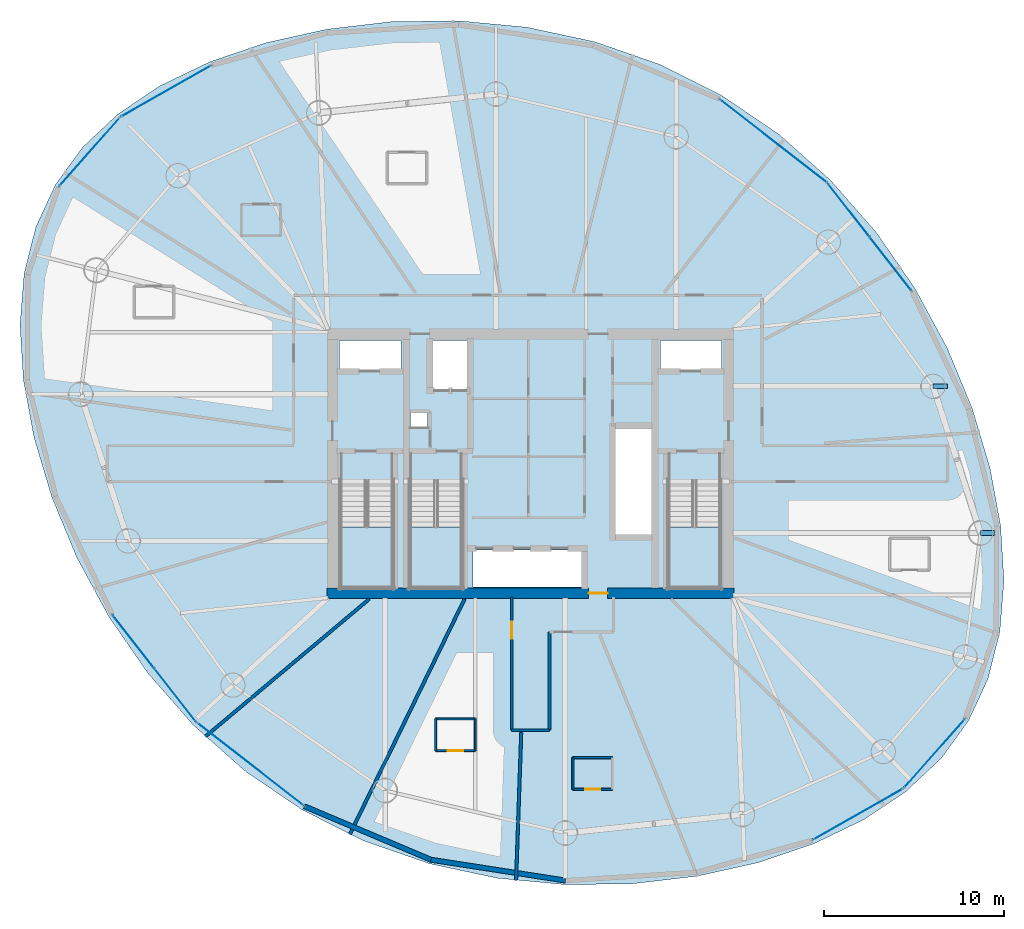
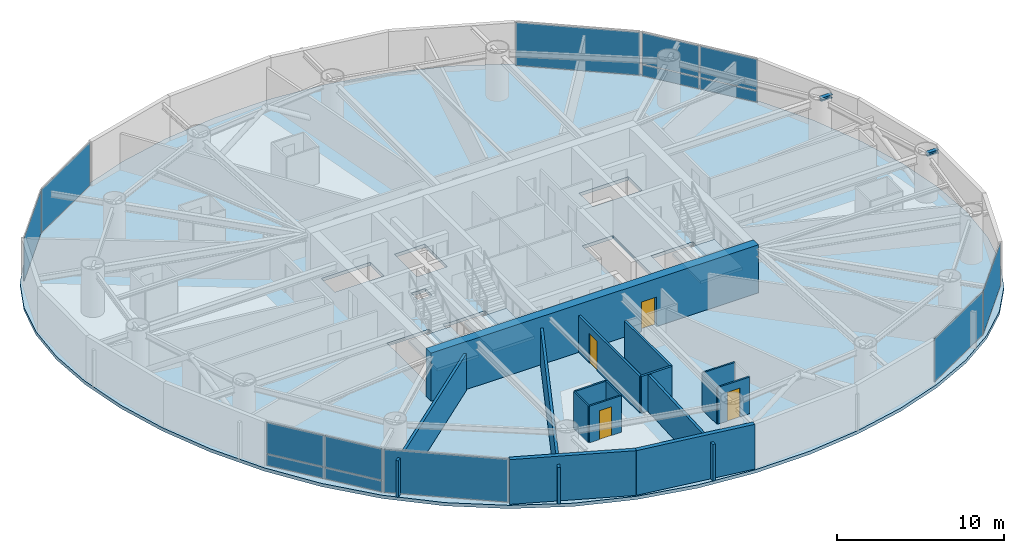
# One storey, part 13 of 20: 16 walls, 14 plates, 4 doors, 4 slabs, 2 beams, 4 openings, 11 elements without a shape of their own.
"""IFC4 building model written with IfcOpenShell, lengths in metres."""

import ifcopenshell
import ifcopenshell.guid

model = None  # the IFC model being written
_history = None  # IfcOwnerHistory: only IFC2X3 demands one
_inside = {}  # id of a spatial element -> (the spatial element, [elements in it])
_under = {}  # id of a project, library or spatial element -> (it, [spatial elements below it])
_declared = {}  # id of a project -> (the project, [libraries it declares])
_typed = {}  # id of a type object -> (the type object, [elements of that type])
_made_of = {}  # id of a material, layer set ... -> (it, [elements and type objects made of it])


def new_model(schema):
    """Start an empty IFC model of exactly this schema.

    Asked for "IFC4X3", IfcOpenShell would pick the latest addendum, in which some entities
    have other attributes; the version numbers below select the first issue.
    IFC2X3 requires an IfcOwnerHistory on every rooted entity: one is made here for all.
    """
    global model, _history
    if schema == "IFC4X3":
        model = ifcopenshell.file(schema_version=(4, 3, 0, 0))
    else:
        model = ifcopenshell.file(schema=schema)
    _inside.clear()
    _under.clear()
    _declared.clear()
    _typed.clear()
    _made_of.clear()
    _history = None
    if model.schema == "IFC2X3":
        org = make("IfcOrganization", Name="unknown")
        user = make(
            "IfcPersonAndOrganization",
            ThePerson=make("IfcPerson", FamilyName="unknown"),
            TheOrganization=org,
        )
        app = make(
            "IfcApplication",
            ApplicationDeveloper=org,
            Version="unknown",
            ApplicationFullName="unknown",
            ApplicationIdentifier="unknown",
        )
        _history = make(
            "IfcOwnerHistory",
            OwningUser=user,
            OwningApplication=app,
            ChangeAction="ADDED",
            CreationDate=0,
        )
    return model


def make(cls, **values):
    """One entity of the class cls with the attributes given. An attribute that is None is left unset."""
    return model.create_entity(
        cls, **{name: value for name, value in values.items() if value is not None}
    )


def rooted(cls, **values):
    """An entity with a GlobalId (a new one), such as an element, a storey or a relation."""
    return make(cls, GlobalId=ifcopenshell.guid.new(), OwnerHistory=_history, **values)


def si_unit(unit_type, name, prefix=None):
    """IfcSIUnit, for example si_unit("LENGTHUNIT", "METRE", prefix="MILLI")."""
    return make("IfcSIUnit", UnitType=unit_type, Prefix=prefix, Name=name)


def assignment(units):
    """IfcUnitAssignment: the units of a project."""
    return None if units is None else make("IfcUnitAssignment", Units=units)


def point(xyz):
    """IfcCartesianPoint."""
    return None if xyz is None else make("IfcCartesianPoint", Coordinates=xyz)


def direction(xyz):
    """IfcDirection."""
    return None if xyz is None else make("IfcDirection", DirectionRatios=xyz)


def frame(location, z_axis=None, x_axis=None):
    """IfcAxis2Placement3D, a coordinate frame: its origin and axes. An axis left out is left unset."""
    return make(
        "IfcAxis2Placement3D",
        Location=point(location),
        Axis=direction(z_axis),
        RefDirection=direction(x_axis),
    )


def frame_2d(location, x_axis=None):
    """IfcAxis2Placement2D, a coordinate frame in the plane: its origin and x axis."""
    return make(
        "IfcAxis2Placement2D", Location=point(location), RefDirection=direction(x_axis)
    )


def origin():
    """The frame at (0, 0, 0) with its axes left unset."""
    return frame((0.0, 0.0, 0.0))


def origin_2d():
    """The frame at (0, 0) in the plane with its x axis left unset."""
    return frame_2d((0.0, 0.0))


def place(relative_to, where):
    """IfcLocalPlacement: puts the frame where relative to a parent placement (None: the world)."""
    return make(
        "IfcLocalPlacement", PlacementRelTo=relative_to, RelativePlacement=where
    )


def context(
    kind, dimensions, precision=None, world=None, true_north=None, identifier=None
):
    """IfcGeometricRepresentationContext, for example the 3D "Model" context."""
    return make(
        "IfcGeometricRepresentationContext",
        ContextIdentifier=identifier,
        ContextType=kind,
        CoordinateSpaceDimension=dimensions,
        Precision=precision,
        WorldCoordinateSystem=world,
        TrueNorth=true_north,
    )


def subcontext(parent, identifier, kind, view, scale=None):
    """IfcGeometricRepresentationSubContext, for example "Body" below "Model"."""
    return make(
        "IfcGeometricRepresentationSubContext",
        ContextIdentifier=identifier,
        ContextType=kind,
        ParentContext=parent,
        TargetScale=scale,
        TargetView=view,
    )


def project(units=None, contexts=None):
    """IfcProject with its units and contexts."""
    return rooted(
        "IfcProject",
        Name="project",
        RepresentationContexts=contexts,
        UnitsInContext=assignment(units),
    )


def spatial(cls, under=None, at=None, **own):
    """A site, building, storey or space (cls), placed at a placement, below another one or the project."""
    s = rooted(cls, ObjectPlacement=at, **own)
    if under is not None:
        _under.setdefault(under.id(), (under, []))[1].append(s)
    return s


def polyline(points):
    """IfcPolyline through the points."""
    return make("IfcPolyline", Points=[point(p) for p in points])


def profile(cls, at=None, kind="AREA", **sizes):
    """A parametric profile (cls). Its sizes go by their IFC names, for example OverallWidth=200.0."""
    return make(cls, ProfileType=kind, Position=at, **sizes)


def rectangle(**sizes):
    """IfcRectangleProfileDef."""
    return profile("IfcRectangleProfileDef", **sizes)


def i_section(**sizes):
    """IfcIShapeProfileDef."""
    return profile("IfcIShapeProfileDef", **sizes)


def outline(outer, holes=None, kind="AREA"):
    """IfcArbitraryClosedProfileDef: a profile drawn as a closed curve; with holes, ...WithVoids."""
    if holes is None:
        return make("IfcArbitraryClosedProfileDef", ProfileType=kind, OuterCurve=outer)
    return make(
        "IfcArbitraryProfileDefWithVoids",
        ProfileType=kind,
        OuterCurve=outer,
        InnerCurves=holes,
    )


def extrude(swept, where, along, depth):
    """IfcExtrudedAreaSolid: the profile swept, set in the frame where, extruded along a direction by depth."""
    return make(
        "IfcExtrudedAreaSolid",
        SweptArea=swept,
        Position=where,
        ExtrudedDirection=direction(along),
        Depth=depth,
    )


def shape(context_of_items, identifier, shape_type, items):
    """IfcShapeRepresentation: the items that make up one representation, for example the "Body"."""
    return make(
        "IfcShapeRepresentation",
        ContextOfItems=context_of_items,
        RepresentationIdentifier=identifier,
        RepresentationType=shape_type,
        Items=items,
    )


def material(Name=None, Category=None):
    """IfcMaterial."""
    return make("IfcMaterial", Name=Name, Category=Category)


def layer(
    of_material, thickness, ventilated=None, Name=None, Category=None, Priority=None
):
    """IfcMaterialLayer: one layer of a wall or slab, of a material (None: an air gap)."""
    return make(
        "IfcMaterialLayer",
        Material=of_material,
        LayerThickness=thickness,
        IsVentilated=ventilated,
        Name=Name,
        Category=Category,
        Priority=Priority,
    )


def layer_set(layers, Name=None):
    """IfcMaterialLayerSet."""
    return make("IfcMaterialLayerSet", MaterialLayers=layers, LayerSetName=Name)


def material_profile(
    of_material, cross_section, Name=None, Category=None, Priority=None
):
    """IfcMaterialProfile: a cross section and its material."""
    return make(
        "IfcMaterialProfile",
        Name=Name,
        Material=of_material,
        Profile=cross_section,
        Priority=Priority,
        Category=Category,
    )


def profile_set(profiles, Name=None, composite=None):
    """IfcMaterialProfileSet."""
    return make(
        "IfcMaterialProfileSet",
        Name=Name,
        MaterialProfiles=profiles,
        CompositeProfile=composite,
    )


def made_of(thing, what):
    """Note that an element or type object is made of a material, layer set ...; save() writes the relation."""
    if what is not None:
        _made_of.setdefault(what.id(), (what, []))[1].append(thing)
    return thing


def type_object(cls, material=None, **own):
    """A type object (cls), such as IfcWallType, which elements share."""
    return made_of(rooted(cls, **own), material)


def element(
    cls,
    number,
    at=None,
    inside=None,
    cuts=None,
    type_object=None,
    material=None,
    context=None,
    identifier="Body",
    shape_type=None,
    held_by="IfcProductDefinitionShape",
    body=None,
    shapes=None,
    **own,
):
    """One element of the class cls, such as IfcWall. Its Tag is "e" and its number.

    at: its placement. inside: the storey or other place that contains it. cuts: it is an
    opening in that element (IfcRelVoidsElement). A single representation is given by context,
    identifier, shape_type and body (its items); several are given by shapes. held_by: the class
    of the entity that holds the representations. save() writes the other relations.
    """
    e = rooted(cls, Tag="e%d" % number, ObjectPlacement=at, **own)
    if body is not None:
        shapes = [shape(context, identifier, shape_type, body)]
    if shapes is not None:
        e.Representation = make(held_by, Representations=shapes)
    if inside is not None:
        _inside.setdefault(inside.id(), (inside, []))[1].append(e)
    if cuts is not None:
        rooted(
            "IfcRelVoidsElement", RelatingBuildingElement=cuts, RelatedOpeningElement=e
        )
    if type_object is not None:
        _typed.setdefault(type_object.id(), (type_object, []))[1].append(e)
    return made_of(e, material)


def fill(opening, filler):
    """IfcRelFillsElement: the door or window that sits in an opening."""
    return rooted(
        "IfcRelFillsElement",
        RelatingOpeningElement=opening,
        RelatedBuildingElement=filler,
    )


def aggregate(whole, parts):
    """IfcRelAggregates: a whole, such as a stair, and the parts it consists of."""
    return rooted("IfcRelAggregates", RelatingObject=whole, RelatedObjects=parts)


def save(model, path):
    """Write the relations noted so far, then the file.

    IfcRelAggregates (storeys below a building ...), IfcRelContainedInSpatialStructure (elements
    in a storey), IfcRelDefinesByType, IfcRelAssociatesMaterial and IfcRelDeclares: one each for
    every whole, place, type object, material and project.
    """
    for whole, parts in _under.values():
        aggregate(whole, parts)
    for where, things in _inside.values():
        rooted(
            "IfcRelContainedInSpatialStructure",
            RelatedElements=things,
            RelatingStructure=where,
        )
    for kind, things in _typed.values():
        rooted("IfcRelDefinesByType", RelatedObjects=things, RelatingType=kind)
    for what, things in _made_of.values():
        rooted("IfcRelAssociatesMaterial", RelatedObjects=things, RelatingMaterial=what)
    for by, libraries in _declared.values():
        rooted("IfcRelDeclares", RelatingContext=by, RelatedDefinitions=libraries)
    model.write(path)


model = new_model("IFC4")

# Units and contexts
model_context = context("Model", 3, precision=1e-05, world=origin(), true_north=direction((0.0, 1.0)))
body_context = subcontext(model_context, "Body", "Model", "MODEL_VIEW")
ifc_project = project(units=[si_unit("LENGTHUNIT", "METRE"), si_unit("AREAUNIT", "SQUARE_METRE"), si_unit("VOLUMEUNIT", "CUBIC_METRE"), si_unit("PLANEANGLEUNIT", "RADIAN"), si_unit("MASSUNIT", "GRAM", prefix="KILO")], contexts=[model_context])

# Site, building, storey
site_placement = place(None, origin())
site = spatial("IfcSite", under=ifc_project, at=site_placement, CompositionType="ELEMENT")
building_placement = place(site_placement, origin())
building = spatial("IfcBuilding", under=site, at=building_placement, Name="Bramvorn Convention Spire", CompositionType="ELEMENT")
storey_placement = place(building_placement, frame((0.0, 0.0, 151.800048828125)))
storey = spatial("IfcBuildingStorey", under=building, at=storey_placement, Name="L38", CompositionType="ELEMENT", Elevation=151.800048828125)

# Beams
ifc_material_1 = material(Name="Steel CSA G40.21 Grade 350 (350W)", Category="steel")
ifc_material_profile = material_profile(ifc_material_1, i_section(OverallWidth=0.25390625, OverallDepth=0.2529296875, WebThickness=0.008544921875, FlangeThickness=0.01416015625, FilletRadius=0.011962890625, at=origin_2d()))
ifc_profile_set = profile_set([ifc_material_profile], Name="Steel CSA G40.21 Grade 350 (350W) - W250X73")
beam_type = type_object("IfcBeamType", Name="BM-W250X73", PredefinedType="BEAM", material=ifc_profile_set)
for number, where, z_axis, x_axis, name in (
    (1, (62.983642578125, 22.148193359375, 3.1083984375), (1.0, 0.0, 0.0), (0.0, 1.0, 0.0), "L38 slab-edge cantilever tip beam MC02"),
    (2, (60.345703125, 30.293212890625, 3.1083984375), (1.0, 0.0, 0.0), (0.0, 1.0, 0.0), "L38 slab-edge cantilever tip beam MC03"),
):
    element("IfcBeam", number, at=place(storey_placement, frame(where, z_axis=z_axis, x_axis=x_axis)), inside=storey, type_object=beam_type, Name=name, PredefinedType="BEAM", context=body_context, shape_type="SweptSolid", body=[
        extrude(i_section(OverallWidth=0.25390625, OverallDepth=0.2529296875, WebThickness=0.008544921875, FlangeThickness=0.01416015625, FilletRadius=0.011962890625, at=origin_2d()), origin(), (0.0, 0.0, 1.0), 0.800048828125),
    ])

# Curtain wall, plates
ifc_material_2 = material(Name="Anodised Bronze Unitised Curtain Wall", Category="aluminium")
ifc_layer_1 = layer(ifc_material_2, 0.179931640625)
ifc_layer_set_1 = layer_set([ifc_layer_1], Name="Anodised Bronze Unitised Curtain Wall - CW-HTL-FRIT")
curtain_wall_type = type_object("IfcCurtainWallType", Name="CW-HTL-FRIT", PredefinedType="USERDEFINED", material=ifc_layer_set_1)
curtain_wall_1_placement = place(storey_placement, origin())
curtain_wall_1 = element("IfcCurtainWall", 3, at=curtain_wall_1_placement, inside=storey, type_object=curtain_wall_type, Name="L38 fritted glass curtain wall 05", ObjectType="UNITISED CURTAIN WALL", PredefinedType="USERDEFINED")
ifc_material_3 = material(Name="Laminated Low-E Glass (Triple IGU Tapered Ceramic Frit 40%)", Category="glass")
ifc_layer_2 = layer(ifc_material_3, 0.0380859375)
ifc_layer_set_2 = layer_set([ifc_layer_2], Name="Laminated Low-E Glass (Triple IGU Tapered Ceramic Frit 40%) - PNL-IGU-2")
plate_type = type_object("IfcPlateType", Name="PNL-IGU-2", PredefinedType="CURTAIN_PANEL", material=ifc_layer_set_2)
plate_1_placement = place(storey_placement, frame((55.6708984375, 40.0615234375, 0.059814453125), z_axis=(0.0, 0.0, 1.0), x_axis=(0.615656860835, -0.78801435882, 0.0)))
plate_1 = element("IfcPlate", 4, at=plate_1_placement, type_object=plate_type, Name="CW2 panel 1.1", PredefinedType="CURTAIN_PANEL", context=body_context, shape_type="SweptSolid", body=[
    extrude(rectangle(XDim=3.694580078125, YDim=0.028076171875, at=origin_2d()), origin(), (0.0, 0.0, 1.0), 0.81005859375),
])
plate_2_placement = place(storey_placement, frame((55.6708984375, 40.0615234375, 0.929931640625), z_axis=(0.0, 0.0, 1.0), x_axis=(0.615656860835, -0.78801435882, 0.0)))
plate_2 = element("IfcPlate", 5, at=plate_2_placement, type_object=plate_type, Name="CW2 panel 1.2", PredefinedType="CURTAIN_PANEL", context=body_context, shape_type="SweptSolid", body=[
    extrude(rectangle(XDim=3.694580078125, YDim=0.028076171875, at=origin_2d()), origin(), (0.0, 0.0, 1.0), 2.27001953125),
])
plate_3_placement = place(storey_placement, frame((57.982421875, 37.102783203125, 0.059814453125), z_axis=(0.0, 0.0, 1.0), x_axis=(0.615656860835, -0.78801435882, 0.0)))
plate_3 = element("IfcPlate", 6, at=plate_3_placement, type_object=plate_type, Name="CW2 panel 2.1", PredefinedType="CURTAIN_PANEL", context=body_context, shape_type="SweptSolid", body=[
    extrude(rectangle(XDim=3.694580078125, YDim=0.028076171875, at=origin_2d()), origin(), (0.0, 0.0, 1.0), 0.81005859375),
])
plate_4_placement = place(storey_placement, frame((57.982421875, 37.102783203125, 0.929931640625), z_axis=(0.0, 0.0, 1.0), x_axis=(0.615656860835, -0.78801435882, 0.0)))
plate_4 = element("IfcPlate", 7, at=plate_4_placement, type_object=plate_type, Name="CW2 panel 2.2", PredefinedType="CURTAIN_PANEL", context=body_context, shape_type="SweptSolid", body=[
    extrude(rectangle(XDim=3.694580078125, YDim=0.028076171875, at=origin_2d()), origin(), (0.0, 0.0, 1.0), 2.27001953125),
])
aggregate(curtain_wall_1, [plate_1, plate_2, plate_3, plate_4])

# Curtain wall, plate
curtain_wall_2_placement = place(storey_placement, origin())
curtain_wall_2 = element("IfcCurtainWall", 8, at=curtain_wall_2_placement, inside=storey, type_object=curtain_wall_type, Name="L38 fritted glass curtain wall 06", ObjectType="UNITISED CURTAIN WALL", PredefinedType="USERDEFINED")
plate_5_placement = place(storey_placement, frame((51.4912109375, 43.904052734375, 0.06005859375), z_axis=(0.0, 0.0, 1.0), x_axis=(0.789105454062, -0.614257749133, 0.0)))
plate_5 = element("IfcPlate", 9, at=plate_5_placement, type_object=plate_type, Name="CW2 panel 1.1", PredefinedType="CURTAIN_PANEL", context=body_context, shape_type="SweptSolid", body=[
    extrude(rectangle(XDim=7.49755859375, YDim=0.028076171875, at=origin_2d()), origin(), (0.0, 0.0, 1.0), 3.139892578125),
])
aggregate(curtain_wall_2, [plate_5])

curtain_wall_3_placement = place(storey_placement, origin())
curtain_wall_3 = element("IfcCurtainWall", 10, at=curtain_wall_3_placement, inside=storey, type_object=curtain_wall_type, Name="L38 fritted glass curtain wall 11", ObjectType="UNITISED CURTAIN WALL", PredefinedType="USERDEFINED")
plate_6_placement = place(storey_placement, frame((17.756591796875, 46.68603515625, 0.06005859375), z_axis=(0.0, 0.0, 1.0), x_axis=(0.869857620477, 0.493302868528, 0.0)))
plate_6 = element("IfcPlate", 11, at=plate_6_placement, type_object=plate_type, Name="CW2 panel 1.1", PredefinedType="CURTAIN_PANEL", context=body_context, shape_type="SweptSolid", body=[
    extrude(rectangle(XDim=5.702880859375, YDim=0.028076171875, at=origin_2d()), origin(), (0.0, 0.0, 1.0), 3.139892578125),
])
aggregate(curtain_wall_3, [plate_6])

curtain_wall_4_placement = place(storey_placement, origin())
curtain_wall_4 = element("IfcCurtainWall", 12, at=curtain_wall_4_placement, inside=storey, type_object=curtain_wall_type, Name="L38 fritted glass curtain wall 12", ObjectType="UNITISED CURTAIN WALL", PredefinedType="USERDEFINED")
plate_7_placement = place(storey_placement, frame((13.510498046875, 43.3115234375, 0.06005859375), z_axis=(0.0, 0.0, 1.0), x_axis=(0.662346171774, 0.749197936954, 0.0)))
plate_7 = element("IfcPlate", 13, at=plate_7_placement, type_object=plate_type, Name="CW2 panel 1.1", PredefinedType="CURTAIN_PANEL", context=body_context, shape_type="SweptSolid", body=[
    extrude(rectangle(XDim=5.054443359375, YDim=0.028076171875, at=origin_2d()), origin(), (0.0, 0.0, 1.0), 3.139892578125),
])
aggregate(curtain_wall_4, [plate_7])

# Curtain wall, plates
curtain_wall_5_placement = place(storey_placement, origin())
curtain_wall_5 = element("IfcCurtainWall", 14, at=curtain_wall_5_placement, inside=storey, type_object=curtain_wall_type, Name="L38 fritted glass curtain wall 17", ObjectType="UNITISED CURTAIN WALL", PredefinedType="USERDEFINED")
plate_8_placement = place(storey_placement, frame((18.259033203125, 13.15283203125, 0.059814453125), z_axis=(0.0, 0.0, 1.0), x_axis=(-0.615671474191, 0.788002941535, 0.0)))
plate_8 = element("IfcPlate", 15, at=plate_8_placement, type_object=plate_type, Name="CW2 panel 1.1", PredefinedType="CURTAIN_PANEL", context=body_context, shape_type="SweptSolid", body=[
    extrude(rectangle(XDim=3.694580078125, YDim=0.028076171875, at=origin_2d()), origin(), (0.0, 0.0, 1.0), 0.81005859375),
])
plate_9_placement = place(storey_placement, frame((18.259033203125, 13.15283203125, 0.929931640625), z_axis=(0.0, 0.0, 1.0), x_axis=(-0.615671474191, 0.788002941535, 0.0)))
plate_9 = element("IfcPlate", 16, at=plate_9_placement, type_object=plate_type, Name="CW2 panel 1.2", PredefinedType="CURTAIN_PANEL", context=body_context, shape_type="SweptSolid", body=[
    extrude(rectangle(XDim=3.694580078125, YDim=0.028076171875, at=origin_2d()), origin(), (0.0, 0.0, 1.0), 2.27001953125),
])
plate_10_placement = place(storey_placement, frame((15.947509765625, 16.111572265625, 0.059814453125), z_axis=(0.0, 0.0, 1.0), x_axis=(-0.615671474191, 0.788002941535, 0.0)))
plate_10 = element("IfcPlate", 17, at=plate_10_placement, type_object=plate_type, Name="CW2 panel 2.1", PredefinedType="CURTAIN_PANEL", context=body_context, shape_type="SweptSolid", body=[
    extrude(rectangle(XDim=3.694580078125, YDim=0.028076171875, at=origin_2d()), origin(), (0.0, 0.0, 1.0), 0.81005859375),
])
plate_11_placement = place(storey_placement, frame((15.947509765625, 16.111572265625, 0.929931640625), z_axis=(0.0, 0.0, 1.0), x_axis=(-0.615671474191, 0.788002941535, 0.0)))
plate_11 = element("IfcPlate", 18, at=plate_11_placement, type_object=plate_type, Name="CW2 panel 2.2", PredefinedType="CURTAIN_PANEL", context=body_context, shape_type="SweptSolid", body=[
    extrude(rectangle(XDim=3.694580078125, YDim=0.028076171875, at=origin_2d()), origin(), (0.0, 0.0, 1.0), 2.27001953125),
])
aggregate(curtain_wall_5, [plate_8, plate_9, plate_10, plate_11])

# Curtain wall, plate
curtain_wall_6_placement = place(storey_placement, origin())
curtain_wall_6 = element("IfcCurtainWall", 19, at=curtain_wall_6_placement, inside=storey, type_object=curtain_wall_type, Name="L38 fritted glass curtain wall 18", ObjectType="UNITISED CURTAIN WALL", PredefinedType="USERDEFINED")
plate_12_placement = place(storey_placement, frame((22.43896484375, 9.310546875, 0.06005859375), z_axis=(0.0, 0.0, 1.0), x_axis=(-0.789105454062, 0.614257749133, 0.0)))
plate_12 = element("IfcPlate", 20, at=plate_12_placement, type_object=plate_type, Name="CW2 panel 1.1", PredefinedType="CURTAIN_PANEL", context=body_context, shape_type="SweptSolid", body=[
    extrude(rectangle(XDim=7.49755859375, YDim=0.028076171875, at=origin_2d()), origin(), (0.0, 0.0, 1.0), 3.139892578125),
])
aggregate(curtain_wall_6, [plate_12])

curtain_wall_7_placement = place(storey_placement, origin())
curtain_wall_7 = element("IfcCurtainWall", 21, at=curtain_wall_7_placement, inside=storey, type_object=curtain_wall_type, Name="L38 fritted glass curtain wall 23", ObjectType="UNITISED CURTAIN WALL", PredefinedType="USERDEFINED")
plate_13_placement = place(storey_placement, frame((56.173583984375, 6.5283203125, 0.06005859375), z_axis=(0.0, 0.0, 1.0), x_axis=(-0.869857620477, -0.493302868528, 0.0)))
plate_13 = element("IfcPlate", 22, at=plate_13_placement, type_object=plate_type, Name="CW2 panel 1.1", PredefinedType="CURTAIN_PANEL", context=body_context, shape_type="SweptSolid", body=[
    extrude(rectangle(XDim=5.702880859375, YDim=0.028076171875, at=origin_2d()), origin(), (0.0, 0.0, 1.0), 3.139892578125),
])
aggregate(curtain_wall_7, [plate_13])

curtain_wall_8_placement = place(storey_placement, origin())
curtain_wall_8 = element("IfcCurtainWall", 23, at=curtain_wall_8_placement, inside=storey, type_object=curtain_wall_type, Name="L38 fritted glass curtain wall 24", ObjectType="UNITISED CURTAIN WALL", PredefinedType="USERDEFINED")
plate_14_placement = place(storey_placement, frame((60.41943359375, 9.90283203125, 0.06005859375), z_axis=(0.0, 0.0, 1.0), x_axis=(-0.66233532384, -0.749207527187, 0.0)))
plate_14 = element("IfcPlate", 24, at=plate_14_placement, type_object=plate_type, Name="CW2 panel 1.1", PredefinedType="CURTAIN_PANEL", context=body_context, shape_type="SweptSolid", body=[
    extrude(rectangle(XDim=5.05419921875, YDim=0.028076171875, at=origin_2d()), origin(), (0.0, 0.0, 1.0), 3.139892578125),
])
aggregate(curtain_wall_8, [plate_14])

# Stair, slab
ifc_material_4 = material(Name="Concrete C40/50 Precast Stair", Category="concrete")
stair_type = type_object("IfcStairType", Name="ST-TOWER-1550", PredefinedType="HALF_TURN_STAIR", material=ifc_material_4)
stair_1_placement = place(storey_placement, origin())
stair_1 = element("IfcStair", 25, at=stair_1_placement, inside=storey, type_object=stair_type, Name="L38 Protected Exit Stair ST1", PredefinedType="HALF_TURN_STAIR")
ifc_material_5 = material(Name="Concrete C40/50 Stair Landing", Category="concrete")
ifc_layer_3 = layer(ifc_material_5, 0.219970703125)
ifc_layer_set_3 = layer_set([ifc_layer_3], Name="Concrete C40/50 Stair Landing - SLB-STAIR-LANDING")
slab_type_1 = type_object("IfcSlabType", Name="SLB-STAIR-LANDING", PredefinedType="LANDING", material=ifc_layer_set_3)
slab_1_placement = place(storey_placement, frame((0.0, 0.0, 1.550048828125)))
slab_1 = element("IfcSlab", 26, at=slab_1_placement, type_object=slab_type_1, Name="ST1 landing 1", PredefinedType="LANDING", context=body_context, shape_type="SweptSolid", body=[
    extrude(outline(polyline([(27.449951171875, 22.485107421875), (27.449951171875, 19.10009765625), (30.35009765625, 19.10009765625), (30.35009765625, 22.485107421875), (27.449951171875, 22.485107421875)])), origin(), (0.0, 0.0, 1.0), 0.199951171875),
])
aggregate(stair_1, [slab_1])

stair_2_placement = place(storey_placement, origin())
stair_2 = element("IfcStair", 27, at=stair_2_placement, inside=storey, type_object=stair_type, Name="L38 Protected Exit Stair ST2", PredefinedType="HALF_TURN_STAIR")
slab_2_placement = place(storey_placement, frame((0.0, 0.0, 1.550048828125)))
slab_2 = element("IfcSlab", 28, at=slab_2_placement, type_object=slab_type_1, Name="ST2 landing 1", PredefinedType="LANDING", context=body_context, shape_type="SweptSolid", body=[
    extrude(outline(polyline([(45.64990234375, 22.485107421875), (45.64990234375, 19.10009765625), (48.550048828125, 19.10009765625), (48.550048828125, 22.485107421875), (45.64990234375, 22.485107421875)])), origin(), (0.0, 0.0, 1.0), 0.199951171875),
])
aggregate(stair_2, [slab_2])

stair_3_placement = place(storey_placement, origin())
stair_3 = element("IfcStair", 29, at=stair_3_placement, inside=storey, type_object=stair_type, Name="L38 Protected Exit Stair ST3", PredefinedType="HALF_TURN_STAIR")
slab_3_placement = place(storey_placement, frame((0.0, 0.0, 1.550048828125)))
slab_3 = element("IfcSlab", 30, at=slab_3_placement, type_object=slab_type_1, Name="ST3 landing 1", PredefinedType="LANDING", context=body_context, shape_type="SweptSolid", body=[
    extrude(outline(polyline([(31.300048828125, 22.485107421875), (31.300048828125, 19.10009765625), (34.199951171875, 19.10009765625), (34.199951171875, 22.485107421875), (31.300048828125, 22.485107421875)])), origin(), (0.0, 0.0, 1.0), 0.199951171875),
])
aggregate(stair_3, [slab_3])

# Slab
ifc_material_6 = material(Name="Concrete C50/60", Category="concrete")
ifc_layer_4 = layer(ifc_material_6, 0.239990234375)
ifc_layer_set_4 = layer_set([ifc_layer_4], Name="Concrete C50/60 - SLB-Z2-240")
slab_type_2 = type_object("IfcSlabType", Name="SLB-Z2-240", PredefinedType="FLOOR", material=ifc_layer_set_4)
slab_4_placement = place(storey_placement, frame((0.0, 0.0, -0.239990234375)))
element("IfcSlab", 31, at=slab_4_placement, inside=storey, type_object=slab_type_2, Name="L38 tower floor slab", PredefinedType="FLOOR", context=body_context, shape_type="SweptSolid", body=[
    extrude(outline(polyline([(62.322998046875, 11.729736328125), (63.404052734375, 14.06982421875), (64.05517578125, 16.662353515625), (64.2841796875, 19.4951171875), (64.099365234375, 22.54150390625), (63.50830078125, 25.756591796875), (62.517333984375, 29.077880859375), (61.130126953125, 32.427490234375), (59.351806640625, 35.715087890625), (57.1904296875, 38.84716796875), (54.66064453125, 41.731689453125), (51.786865234375, 44.287109375), (48.605712890625, 46.448486328125), (45.167236328125, 48.1708984375), (41.534423828125, 49.432861328125), (37.7822265625, 50.23388671875), (33.993896484375, 50.592529296875), (30.25634765625, 50.541015625), (26.65576171875, 50.117919921875), (23.27294921875, 49.362548828125), (20.177978515625, 48.309814453125), (17.4287109375, 46.98486328125), (15.0673828125, 45.4033203125), (13.122314453125, 43.570068359375), (11.607177734375, 41.484619140625), (10.52587890625, 39.144775390625), (9.874755859375, 36.55224609375), (9.64599609375, 33.719482421875), (9.830810546875, 30.673095703125), (10.42138671875, 27.4580078125), (11.41259765625, 24.136474609375), (12.7998046875, 20.787109375), (14.578125, 17.499267578125), (16.739501953125, 14.3671875), (19.269287109375, 11.48291015625), (22.14306640625, 8.92724609375), (25.32421875, 6.76611328125), (28.7626953125, 5.04345703125), (32.3955078125, 3.78173828125), (36.147705078125, 2.980712890625), (39.93603515625, 2.621826171875), (43.673583984375, 2.673583984375), (47.274169921875, 3.0966796875), (50.656982421875, 3.851806640625), (53.751953125, 4.90478515625), (56.501220703125, 6.2294921875), (58.8623046875, 7.811279296875), (60.807861328125, 9.64453125), (62.322998046875, 11.729736328125)]), holes=[polyline([(27.449951171875, 25.050048828125), (27.449951171875, 19.10009765625), (30.35009765625, 19.10009765625), (30.35009765625, 25.050048828125), (27.449951171875, 25.050048828125)]), polyline([(45.64990234375, 25.050048828125), (45.64990234375, 19.10009765625), (48.550048828125, 19.10009765625), (48.550048828125, 25.050048828125), (45.64990234375, 25.050048828125)]), polyline([(31.300048828125, 25.050048828125), (31.300048828125, 19.10009765625), (34.199951171875, 19.10009765625), (34.199951171875, 25.050048828125), (31.300048828125, 25.050048828125)]), polyline([(27.39990234375, 31.219970703125), (30.800048828125, 31.219970703125), (30.800048828125, 32.85009765625), (27.39990234375, 32.85009765625), (27.39990234375, 31.219970703125)]), polyline([(45.199951171875, 31.219970703125), (48.60009765625, 31.219970703125), (48.60009765625, 32.85009765625), (45.199951171875, 32.85009765625), (45.199951171875, 31.219970703125)]), polyline([(32.449951171875, 30.14990234375), (34.56005859375, 30.14990234375), (34.56005859375, 32.85009765625), (32.449951171875, 32.85009765625), (32.449951171875, 30.14990234375)]), polyline([(34.800048828125, 19.14990234375), (40.97998046875, 19.14990234375), (40.97998046875, 21.199951171875), (34.800048828125, 21.199951171875), (34.800048828125, 19.14990234375)]), polyline([(42.6201171875, 22.0), (44.75, 22.0), (44.75, 28.0), (42.6201171875, 28.0), (42.6201171875, 22.0)]), polyline([(31.320068359375, 28.02001953125), (32.280029296875, 28.02001953125), (32.280029296875, 28.820068359375), (31.320068359375, 28.820068359375), (31.320068359375, 28.02001953125)])]), origin(), (0.0, 0.0, 1.0), 0.239990234375),
])

# Wall, opening, door
ifc_material_7 = material(Name="Concrete C60/70", Category="concrete")
ifc_layer_5 = layer(ifc_material_7, 0.60009765625)
ifc_layer_set_5 = layer_set([ifc_layer_5], Name="Concrete C60/70 - WL-CORE-600")
wall_type_1 = type_object("IfcWallType", Name="WL-CORE-600", PredefinedType="SHEAR", material=ifc_layer_set_5)
wall_1_placement = place(storey_placement, frame((26.699951171875, 18.800048828125, 0.0), z_axis=(0.0, 0.0, 1.0), x_axis=(1.0, 0.0, 0.0)))
wall_1 = element("IfcWall", 32, at=wall_1_placement, inside=storey, type_object=wall_type_1, Name="L38 South RC core shear wall", PredefinedType="SHEAR", context=body_context, shape_type="SweptSolid", body=[
    extrude(rectangle(XDim=22.60009765625, YDim=0.60009765625, at=frame_2d((11.300048828125, 0.0))), origin(), (0.0, 0.0, 1.0), 3.5),
])
opening_1_placement = place(wall_1_placement, frame((14.52001953125, 0.0, 0.0)))
opening_1 = element("IfcOpeningElement", 33, at=opening_1_placement, cuts=wall_1, Name="Opening DL-105", PredefinedType="OPENING", context=body_context, shape_type="SweptSolid", body=[
    extrude(rectangle(XDim=1.050048828125, YDim=2.14990234375, at=frame_2d((0.52490234375, 1.074951171875))), frame((0.0, 0.31005859375, 0.0), z_axis=(0.0, -1.0, 0.0), x_axis=(1.0, 0.0, 0.0)), (0.0, 0.0, 1.0), 0.6201171875),
])
ifc_material_8 = material(Name="Smoke-Sealed Fire Lobby Timber-Core Door", Category="wood")
door_type_1 = type_object("IfcDoorType", Name="DR-LOBBY-1050", OperationType="NOTDEFINED", PredefinedType="DOOR", material=ifc_material_8)
door_1_placement = place(opening_1_placement, origin())
door_1 = element("IfcDoor", 34, at=door_1_placement, inside=storey, type_object=door_type_1, Name="L38 South Lift Lobby fire door", OperationType="SINGLE_SWING_RIGHT", OverallHeight=2.14990234375, OverallWidth=1.050048828125, PredefinedType="DOOR", context=body_context, shape_type="SweptSolid", body=[
    extrude(rectangle(XDim=1.050048828125, YDim=2.14990234375, at=frame_2d((0.52490234375, 1.074951171875))), frame((0.0, 0.02490234375, 0.0), z_axis=(0.0, -1.0, 0.0), x_axis=(1.0, 0.0, 0.0)), (0.0, 0.0, 1.0), 0.050048828125),
])
fill(opening_1, door_1)

# Walls
ifc_material_9 = material(Name="Precast Concrete C40/50 with Bronze Terracotta Rainscreen", Category="masonry")
ifc_layer_6 = layer(ifc_material_9, 0.300048828125)
ifc_layer_set_6 = layer_set([ifc_layer_6], Name="Precast Concrete C40/50 with Bronze Terracotta Rainscreen - WL-EXT-BRONZE-300")
wall_type_2 = type_object("IfcWallType", Name="WL-EXT-BRONZE-300", PredefinedType="SOLIDWALL", material=ifc_layer_set_6)
wall_2_placement = place(storey_placement, frame((32.46142578125, 4.006591796875, 0.0), z_axis=(0.0, 0.0, 1.0), x_axis=(-0.921175021357, 0.38914853209, 0.0)))
element("IfcWall", 35, at=wall_2_placement, inside=storey, type_object=wall_type_2, Name="L38 expressed bronze Gothic lancet pier wall 19", PredefinedType="SOLIDWALL", context=body_context, shape_type="SweptSolid", body=[
    extrude(rectangle(XDim=7.617431640625, YDim=0.280029296875, at=frame_2d((3.80859375, 0.0))), origin(), (0.0, 0.0, 1.0), 3.260009765625),
])
wall_3_placement = place(storey_placement, frame((39.94140625, 2.848388671875, 0.0), z_axis=(0.0, 0.0, 1.0), x_axis=(-0.988223567866, 0.153016926887, 0.0)))
element("IfcWall", 36, at=wall_3_placement, inside=storey, type_object=wall_type_2, Name="L38 expressed bronze Gothic lancet pier wall 20", PredefinedType="SOLIDWALL", context=body_context, shape_type="SweptSolid", body=[
    extrude(rectangle(XDim=7.569091796875, YDim=0.280029296875, at=frame_2d((3.78466796875, 0.0))), origin(), (0.0, 0.0, 1.0), 3.260009765625),
])

# Wall, opening, door
ifc_material_10 = material(Name="Lightweight En-Suite & Wet-Wall Partition", Category="gypsum")
ifc_layer_7 = layer(ifc_material_10, 0.110107421875)
ifc_layer_set_7 = layer_set([ifc_layer_7], Name="Lightweight En-Suite & Wet-Wall Partition - WL-PART-110")
wall_type_3 = type_object("IfcWallType", Name="WL-PART-110", PredefinedType="PARTITIONING", material=ifc_layer_set_7)
wall_4_placement = place(storey_placement, frame((32.72412109375, 10.062744140625, 0.0), z_axis=(0.0, 0.0, 1.0), x_axis=(1.0, 0.0, 0.0)))
wall_4 = element("IfcWall", 37, at=wall_4_placement, inside=storey, type_object=wall_type_3, Name="Hotel Suite 3811 en-suite south wall", PredefinedType="PARTITIONING", context=body_context, shape_type="SweptSolid", body=[
    extrude(rectangle(XDim=2.199951171875, YDim=0.110107421875, at=frame_2d((1.10009765625, 0.0))), origin(), (0.0, 0.0, 1.0), 2.675048828125),
])
opening_2_placement = place(wall_4_placement, frame((0.679931640625, 0.0, 0.0)))
opening_2 = element("IfcOpeningElement", 38, at=opening_2_placement, cuts=wall_4, Name="Opening DI-085", PredefinedType="OPENING", context=body_context, shape_type="SweptSolid", body=[
    extrude(rectangle(XDim=0.85009765625, YDim=2.10009765625, at=frame_2d((0.425048828125, 1.050048828125))), frame((0.0, 0.06494140625, 0.0), z_axis=(0.0, -1.0, 0.0), x_axis=(1.0, 0.0, 0.0)), (0.0, 0.0, 1.0), 0.130126953125),
])
ifc_material_11 = material(Name="En-Suite & Restroom Privacy Door", Category="wood")
door_type_2 = type_object("IfcDoorType", Name="DR-INT-850", OperationType="NOTDEFINED", PredefinedType="DOOR", material=ifc_material_11)
door_2_placement = place(opening_2_placement, origin())
door_2 = element("IfcDoor", 39, at=door_2_placement, inside=storey, type_object=door_type_2, Name="Hotel Suite 3811 En-Suite Bathroom door", OperationType="SINGLE_SWING_LEFT", OverallHeight=2.10009765625, OverallWidth=0.85009765625, PredefinedType="DOOR", context=body_context, shape_type="SweptSolid", body=[
    extrude(rectangle(XDim=0.85009765625, YDim=2.10009765625, at=frame_2d((0.425048828125, 1.050048828125))), frame((0.0, 0.02490234375, 0.0), z_axis=(0.0, -1.0, 0.0), x_axis=(1.0, 0.0, 0.0)), (0.0, 0.0, 1.0), 0.050048828125),
])
fill(opening_2, door_2)

# Walls
wall_5_placement = place(storey_placement, frame((32.72412109375, 11.82275390625, 0.0), z_axis=(0.0, 0.0, 1.0), x_axis=(1.0, 0.0, 0.0)))
element("IfcWall", 40, at=wall_5_placement, inside=storey, type_object=wall_type_3, Name="Hotel Suite 3811 en-suite north wall", PredefinedType="PARTITIONING", context=body_context, shape_type="SweptSolid", body=[
    extrude(rectangle(XDim=2.199951171875, YDim=0.110107421875, at=frame_2d((1.10009765625, 0.0))), origin(), (0.0, 0.0, 1.0), 2.675048828125),
])
for number, where, z_axis, x_axis, name in (
    (41, (32.72412109375, 10.062744140625, 0.0), (0.0, 0.0, 1.0), (0.0, 1.0, 0.0), "Hotel Suite 3811 en-suite west wall"),
    (42, (34.924072265625, 10.062744140625, 0.0), (0.0, 0.0, 1.0), (0.0, 1.0, 0.0), "Hotel Suite 3811 en-suite east wall"),
):
    element("IfcWall", number, at=place(storey_placement, frame(where, z_axis=z_axis, x_axis=x_axis)), inside=storey, type_object=wall_type_3, Name=name, PredefinedType="PARTITIONING", context=body_context, shape_type="SweptSolid", body=[
        extrude(rectangle(XDim=1.760009765625, YDim=0.110107421875, at=frame_2d((0.8798828125, 0.0))), origin(), (0.0, 0.0, 1.0), 2.675048828125),
    ])

# Wall, opening, door
wall_6_placement = place(storey_placement, frame((40.340087890625, 7.912109375, 0.0), z_axis=(0.0, 0.0, 1.0), x_axis=(1.0, 0.0, 0.0)))
wall_6 = element("IfcWall", 43, at=wall_6_placement, inside=storey, type_object=wall_type_3, Name="Hotel Suite 3812 en-suite south wall", PredefinedType="PARTITIONING", context=body_context, shape_type="SweptSolid", body=[
    extrude(rectangle(XDim=2.199951171875, YDim=0.110107421875, at=frame_2d((1.10009765625, 0.0))), origin(), (0.0, 0.0, 1.0), 2.675048828125),
])
opening_3_placement = place(wall_6_placement, frame((0.679931640625, 0.0, 0.0)))
opening_3 = element("IfcOpeningElement", 44, at=opening_3_placement, cuts=wall_6, Name="Opening DI-085", PredefinedType="OPENING", context=body_context, shape_type="SweptSolid", body=[
    extrude(rectangle(XDim=0.85009765625, YDim=2.10009765625, at=frame_2d((0.425048828125, 1.050048828125))), frame((0.0, 0.06494140625, 0.0), z_axis=(0.0, -1.0, 0.0), x_axis=(1.0, 0.0, 0.0)), (0.0, 0.0, 1.0), 0.130126953125),
])
door_3_placement = place(opening_3_placement, origin())
door_3 = element("IfcDoor", 45, at=door_3_placement, inside=storey, type_object=door_type_2, Name="Hotel Suite 3812 En-Suite Bathroom door", OperationType="SINGLE_SWING_LEFT", OverallHeight=2.10009765625, OverallWidth=0.85009765625, PredefinedType="DOOR", context=body_context, shape_type="SweptSolid", body=[
    extrude(rectangle(XDim=0.85009765625, YDim=2.10009765625, at=frame_2d((0.425048828125, 1.050048828125))), frame((0.0, 0.02490234375, 0.0), z_axis=(0.0, -1.0, 0.0), x_axis=(1.0, 0.0, 0.0)), (0.0, 0.0, 1.0), 0.050048828125),
])
fill(opening_3, door_3)

# Walls
wall_7_placement = place(storey_placement, frame((40.340087890625, 9.672119140625, 0.0), z_axis=(0.0, 0.0, 1.0), x_axis=(1.0, 0.0, 0.0)))
element("IfcWall", 46, at=wall_7_placement, inside=storey, type_object=wall_type_3, Name="Hotel Suite 3812 en-suite north wall", PredefinedType="PARTITIONING", context=body_context, shape_type="SweptSolid", body=[
    extrude(rectangle(XDim=2.199951171875, YDim=0.110107421875, at=frame_2d((1.10009765625, 0.0))), origin(), (0.0, 0.0, 1.0), 2.675048828125),
])
wall_8_placement = place(storey_placement, frame((40.340087890625, 7.912109375, 0.0), z_axis=(0.0, 0.0, 1.0), x_axis=(0.0, 1.0, 0.0)))
element("IfcWall", 47, at=wall_8_placement, inside=storey, type_object=wall_type_3, Name="Hotel Suite 3812 en-suite west wall", PredefinedType="PARTITIONING", context=body_context, shape_type="SweptSolid", body=[
    extrude(rectangle(XDim=1.760009765625, YDim=0.110107421875, at=frame_2d((0.8798828125, 0.0))), origin(), (0.0, 0.0, 1.0), 2.675048828125),
])

# Wall, opening, door
ifc_material_12 = material(Name="Acoustic Metal-Stud Tenant/Corridor Partition", Category="gypsum")
ifc_layer_8 = layer(ifc_material_12, 0.14990234375)
ifc_layer_set_8 = layer_set([ifc_layer_8], Name="Acoustic Metal-Stud Tenant/Corridor Partition - WL-PART-150")
wall_type_4 = type_object("IfcWallType", Name="WL-PART-150", PredefinedType="PARTITIONING", material=ifc_layer_set_8)
wall_9_placement = place(storey_placement, frame((36.949951171875, 11.199951171875, 0.0), z_axis=(0.0, 0.0, 1.0), x_axis=(0.0, 1.0, 0.0)))
wall_9 = element("IfcWall", 48, at=wall_9_placement, inside=storey, type_object=wall_type_4, Name="L38 South axial spine west wall", PredefinedType="PARTITIONING", context=body_context, shape_type="SweptSolid", body=[
    extrude(rectangle(XDim=7.400146484375, YDim=0.14990234375, at=frame_2d((3.7001953125, 0.0))), origin(), (0.0, 0.0, 1.0), 2.675048828125),
])
opening_4_placement = place(wall_9_placement, frame((5.074951171875, 0.0, 0.0)))
opening_4 = element("IfcOpeningElement", 49, at=opening_4_placement, cuts=wall_9, Name="Opening DH-095", PredefinedType="OPENING", context=body_context, shape_type="SweptSolid", body=[
    extrude(rectangle(XDim=0.949951171875, YDim=2.14990234375, at=frame_2d((0.47509765625, 1.074951171875))), frame((0.0, 0.0849609375, 0.0), z_axis=(0.0, -1.0, 0.0), x_axis=(1.0, 0.0, 0.0)), (0.0, 0.0, 1.0), 0.169921875),
])
ifc_material_13 = material(Name="Solid-Core Acoustic Guestroom Entry Door", Category="wood")
door_type_3 = type_object("IfcDoorType", Name="DR-HOTEL-950", OperationType="NOTDEFINED", PredefinedType="DOOR", material=ifc_material_13)
door_4_placement = place(opening_4_placement, origin())
door_4 = element("IfcDoor", 50, at=door_4_placement, inside=storey, type_object=door_type_3, Name="Hotel Suite 3811 entry door", OperationType="SINGLE_SWING_LEFT", OverallHeight=2.14990234375, OverallWidth=0.949951171875, PredefinedType="DOOR", context=body_context, shape_type="SweptSolid", body=[
    extrude(rectangle(XDim=0.949951171875, YDim=2.14990234375, at=frame_2d((0.47509765625, 1.074951171875))), frame((0.0, 0.02490234375, 0.0), z_axis=(0.0, -1.0, 0.0), x_axis=(1.0, 0.0, 0.0)), (0.0, 0.0, 1.0), 0.050048828125),
])
fill(opening_4, door_4)

# Walls
wall_10_placement = place(storey_placement, frame((39.050048828125, 11.199951171875, 0.0), z_axis=(0.0, 0.0, 1.0), x_axis=(0.0, 1.0, 0.0)))
element("IfcWall", 51, at=wall_10_placement, inside=storey, type_object=wall_type_4, Name="L38 South axial spine east wall", PredefinedType="PARTITIONING", context=body_context, shape_type="SweptSolid", body=[
    extrude(rectangle(XDim=5.449951171875, YDim=0.14990234375, at=frame_2d((2.72509765625, 0.0))), origin(), (0.0, 0.0, 1.0), 2.675048828125),
])
wall_11_placement = place(storey_placement, frame((36.949951171875, 11.199951171875, 0.0), z_axis=(0.0, 0.0, 1.0), x_axis=(1.0, 0.0, 0.0)))
element("IfcWall", 52, at=wall_11_placement, inside=storey, type_object=wall_type_4, Name="L38 South axial spine end wall", PredefinedType="PARTITIONING", context=body_context, shape_type="SweptSolid", body=[
    extrude(rectangle(XDim=2.10009765625, YDim=0.14990234375, at=frame_2d((1.050048828125, 0.0))), origin(), (0.0, 0.0, 1.0), 2.675048828125),
])
ifc_material_14 = material(Name="Double-Stud Acoustic Hotel/Suite Partition", Category="gypsum")
ifc_layer_9 = layer(ifc_material_14, 0.175048828125)
ifc_layer_set_9 = layer_set([ifc_layer_9], Name="Double-Stud Acoustic Hotel/Suite Partition - WL-PART-175")
wall_type_5 = type_object("IfcWallType", Name="WL-PART-175", PredefinedType="PARTITIONING", material=ifc_layer_set_9)
wall_12_placement = place(storey_placement, frame((29.0380859375, 18.47998046875, 0.0), z_axis=(0.0, 0.0, 1.0), x_axis=(-0.766045276584, -0.642786616401, 0.0)))
element("IfcWall", 53, at=wall_12_placement, inside=storey, type_object=wall_type_5, Name="L38 Guestroom demising wall 10", PredefinedType="PARTITIONING", context=body_context, shape_type="SweptSolid", body=[
    extrude(rectangle(XDim=11.87841796875, YDim=0.175048828125, at=frame_2d((5.939208984375, 0.0))), origin(), (0.0, 0.0, 1.0), 2.675048828125),
])
wall_13_placement = place(storey_placement, frame((34.332275390625, 18.47998046875, 0.0), z_axis=(0.0, 0.0, 1.0), x_axis=(-0.43836706514, -0.898796037041, 0.0)))
element("IfcWall", 54, at=wall_13_placement, inside=storey, type_object=wall_type_5, Name="L38 Guestroom demising wall 11", PredefinedType="PARTITIONING", context=body_context, shape_type="SweptSolid", body=[
    extrude(rectangle(XDim=14.541015625, YDim=0.175048828125, at=frame_2d((7.2705078125, 0.0))), origin(), (0.0, 0.0, 1.0), 2.675048828125),
])
wall_14_placement = place(storey_placement, frame((37.478271484375, 11.06005859375, 0.0), z_axis=(0.0, 0.0, 1.0), x_axis=(-0.03489116402, -0.999391117968, 0.0)))
element("IfcWall", 55, at=wall_14_placement, inside=storey, type_object=wall_type_5, Name="L38 Guestroom demising wall 12", PredefinedType="PARTITIONING", context=body_context, shape_type="SweptSolid", body=[
    extrude(rectangle(XDim=8.214599609375, YDim=0.175048828125, at=frame_2d((4.107421875, 0.0))), origin(), (0.0, 0.0, 1.0), 2.675048828125),
])

save(model, "model.ifc")
